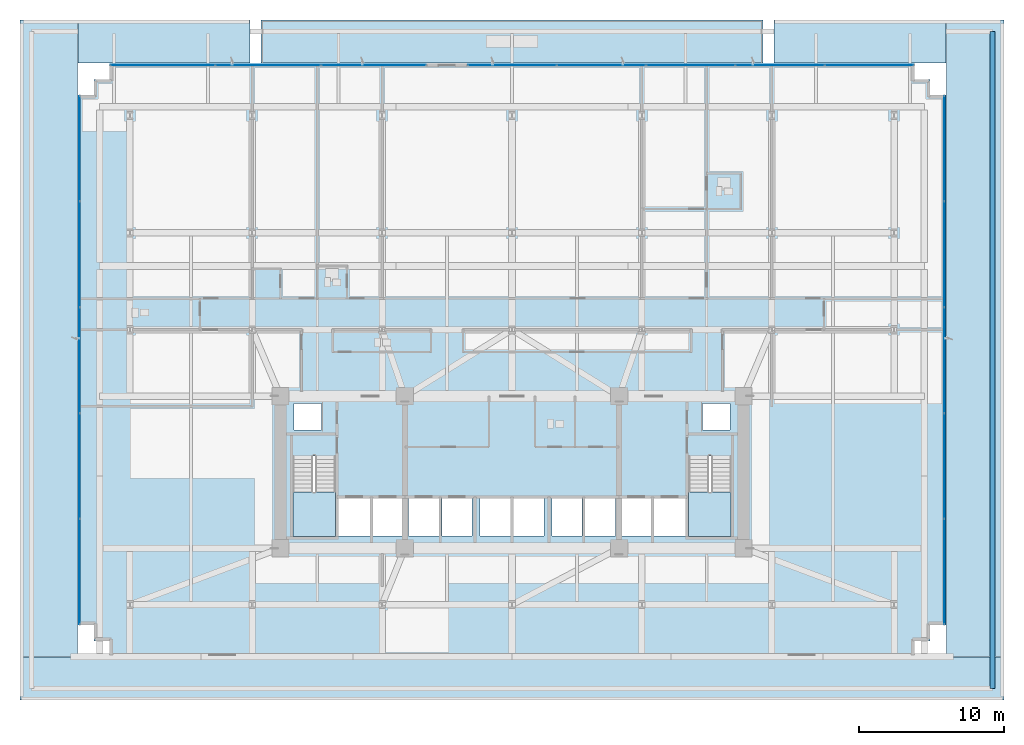
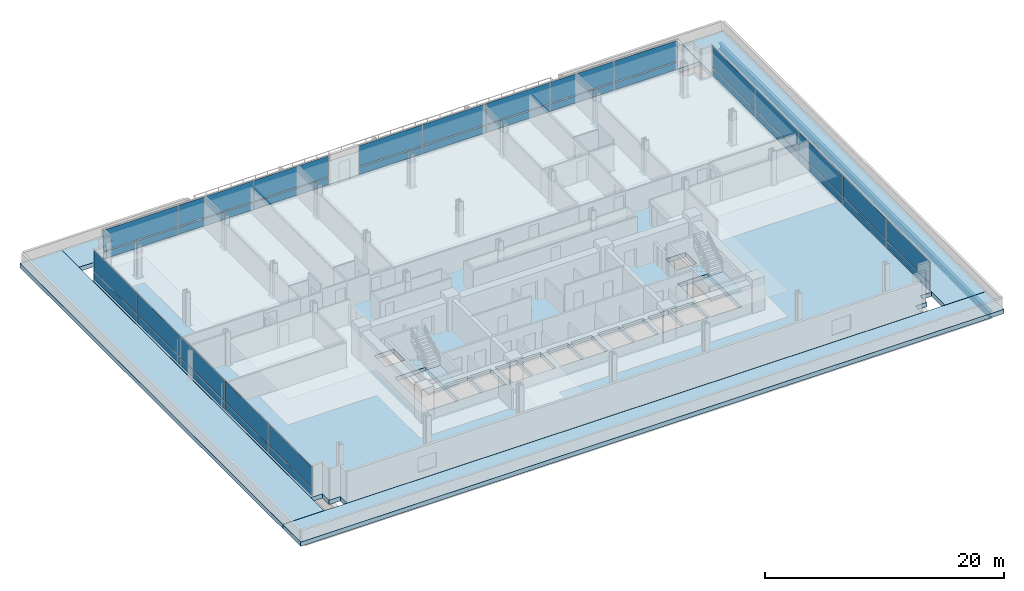
# One storey, part 16 of 25: 36 plates, 9 slabs, 1 beam, 6 elements without a shape of their own.
"""IFC4 building model written with IfcOpenShell, lengths in metres."""

from ifc_helpers import new_model, si_unit, direction, frame, origin, origin_2d, place, context, subcontext, project, spatial, polyline, rectangle, i_section, outline, extrude, material, layer, layer_set, material_profile, profile_set, type_object, element, aggregate, save


model = new_model("IFC4")

# Units and contexts
model_context = context("Model", 3, precision=1e-05, world=origin(), true_north=direction((0.0, 1.0)))
body_context = subcontext(model_context, "Body", "Model", "MODEL_VIEW")
ifc_project = project(units=[si_unit("LENGTHUNIT", "METRE"), si_unit("AREAUNIT", "SQUARE_METRE"), si_unit("VOLUMEUNIT", "CUBIC_METRE"), si_unit("PLANEANGLEUNIT", "RADIAN"), si_unit("MASSUNIT", "GRAM", prefix="KILO")], contexts=[model_context])

# Site, building, storey
site_placement = place(None, origin())
site = spatial("IfcSite", under=ifc_project, at=site_placement, CompositionType="ELEMENT")
building_placement = place(site_placement, origin())
building = spatial("IfcBuilding", under=site, at=building_placement, Name="Solmavex Isthmus Hotel", CompositionType="ELEMENT")
storey_placement = place(building_placement, frame((0.0, 0.0, 26.39990234375)))
storey = spatial("IfcBuildingStorey", under=building, at=storey_placement, Name="L06", CompositionType="ELEMENT", Elevation=26.39990234375)

# Beam
ifc_material_1 = material(Name="Steel ASTM A992 Grade 50", Category="steel")
ifc_material_profile = material_profile(ifc_material_1, i_section(OverallWidth=0.326416015625, OverallDepth=0.621826171875, WebThickness=0.015380859375, FlangeThickness=0.0244140625, FilletRadius=0.01513671875, at=origin_2d()), Name="W24X131")
ifc_profile_set = profile_set([ifc_material_profile], Name="Steel ASTM A992 Grade 50")
beam_type = type_object("IfcBeamType", Name="BM-SP-W24X131", PredefinedType="SPANDREL", material=ifc_profile_set)
beam_placement = place(storey_placement, frame((33.199951171875, -22.699951171875, -0.7607421875), z_axis=(0.0, 1.0, 0.0), x_axis=(-1.0, 0.0, 0.0)))
element("IfcBeam", 1, at=beam_placement, inside=storey, type_object=beam_type, Name="Podium Roof Edge Girder PR-2", PredefinedType="SPANDREL", context=body_context, shape_type="SweptSolid", body=[
    extrude(i_section(OverallWidth=0.326416015625, OverallDepth=0.621826171875, WebThickness=0.015380859375, FlangeThickness=0.0244140625, FilletRadius=0.01513671875, at=origin_2d()), origin(), (0.0, 0.0, 1.0), 45.39990234375),
])

# Curtain wall, plates
ifc_material_2 = material(Name="Aluminium alloy 6063-T6", Category="aluminium")
curtain_wall_type = type_object("IfcCurtainWallType", Name="CW-SYS-06", PredefinedType="NOTDEFINED", material=ifc_material_2)
curtain_wall_1_placement = place(storey_placement, origin())
curtain_wall_1 = element("IfcCurtainWall", 2, at=curtain_wall_1_placement, inside=storey, type_object=curtain_wall_type, Name="Stick Curtain Wall CWL-L06-N1", PredefinedType="NOTDEFINED")
ifc_material_3 = material(Name="Clear low-E laminated glass", Category="glass")
ifc_layer_1 = layer(ifc_material_3, 0.028076171875)
ifc_layer_set_1 = layer_set([ifc_layer_1], Name="Clear low-E laminated glass")
plate_type = type_object("IfcPlateType", Name="CW-SYS-06-PNL", PredefinedType="CURTAIN_PANEL", material=ifc_layer_set_1)
plate_1_placement = place(storey_placement, frame((-24.135009765625, 20.3798828125, 0.114990234375), z_axis=(0.0, 0.0, 1.0), x_axis=(1.0, 0.0, 0.0)))
plate_1 = element("IfcPlate", 3, at=plate_1_placement, type_object=plate_type, Name="CW-06 panel 1.1", PredefinedType="CURTAIN_PANEL", context=body_context, shape_type="SweptSolid", body=[
    extrude(rectangle(XDim=7.2099609375, YDim=0.028076171875, at=origin_2d()), origin(), (0.0, 0.0, 1.0), 0.7275390625),
])
plate_2_placement = place(storey_placement, frame((-24.135009765625, 20.3798828125, 0.95751953125), z_axis=(0.0, 0.0, 1.0), x_axis=(1.0, 0.0, 0.0)))
plate_2 = element("IfcPlate", 4, at=plate_2_placement, type_object=plate_type, Name="CW-06 panel 1.2", PredefinedType="CURTAIN_PANEL", context=body_context, shape_type="SweptSolid", body=[
    extrude(rectangle(XDim=7.2099609375, YDim=0.028076171875, at=origin_2d()), origin(), (0.0, 0.0, 1.0), 2.117431640625),
])
plate_3_placement = place(storey_placement, frame((-16.85009765625, 20.3798828125, 0.114990234375), z_axis=(0.0, 0.0, 1.0), x_axis=(1.0, 0.0, 0.0)))
plate_3 = element("IfcPlate", 5, at=plate_3_placement, type_object=plate_type, Name="CW-06 panel 2.1", PredefinedType="CURTAIN_PANEL", context=body_context, shape_type="SweptSolid", body=[
    extrude(rectangle(XDim=7.239990234375, YDim=0.028076171875, at=origin_2d()), origin(), (0.0, 0.0, 1.0), 0.7275390625),
])
plate_4_placement = place(storey_placement, frame((-16.85009765625, 20.3798828125, 0.95751953125), z_axis=(0.0, 0.0, 1.0), x_axis=(1.0, 0.0, 0.0)))
plate_4 = element("IfcPlate", 6, at=plate_4_placement, type_object=plate_type, Name="CW-06 panel 2.2", PredefinedType="CURTAIN_PANEL", context=body_context, shape_type="SweptSolid", body=[
    extrude(rectangle(XDim=7.239990234375, YDim=0.028076171875, at=origin_2d()), origin(), (0.0, 0.0, 1.0), 2.117431640625),
])
plate_5_placement = place(storey_placement, frame((-9.56494140625, 20.3798828125, 0.114990234375), z_axis=(0.0, 0.0, 1.0), x_axis=(1.0, 0.0, 0.0)))
plate_5 = element("IfcPlate", 7, at=plate_5_placement, type_object=plate_type, Name="CW-06 panel 3.1", PredefinedType="CURTAIN_PANEL", context=body_context, shape_type="SweptSolid", body=[
    extrude(rectangle(XDim=7.2099609375, YDim=0.028076171875, at=origin_2d()), origin(), (0.0, 0.0, 1.0), 0.7275390625),
])
plate_6_placement = place(storey_placement, frame((-9.56494140625, 20.3798828125, 0.95751953125), z_axis=(0.0, 0.0, 1.0), x_axis=(1.0, 0.0, 0.0)))
plate_6 = element("IfcPlate", 8, at=plate_6_placement, type_object=plate_type, Name="CW-06 panel 3.2", PredefinedType="CURTAIN_PANEL", context=body_context, shape_type="SweptSolid", body=[
    extrude(rectangle(XDim=7.2099609375, YDim=0.028076171875, at=origin_2d()), origin(), (0.0, 0.0, 1.0), 2.117431640625),
])
aggregate(curtain_wall_1, [plate_1, plate_2, plate_3, plate_4, plate_5, plate_6])

curtain_wall_2_placement = place(storey_placement, origin())
curtain_wall_2 = element("IfcCurtainWall", 9, at=curtain_wall_2_placement, inside=storey, type_object=curtain_wall_type, Name="Stick Curtain Wall CWL-L06-N2", PredefinedType="NOTDEFINED")
plate_7_placement = place(storey_placement, frame((0.0048828125, 20.3798828125, 0.114990234375), z_axis=(0.0, 0.0, 1.0), x_axis=(1.0, 0.0, 0.0)))
plate_7 = element("IfcPlate", 10, at=plate_7_placement, type_object=plate_type, Name="CW-06 panel 1.1", PredefinedType="CURTAIN_PANEL", context=body_context, shape_type="SweptSolid", body=[
    extrude(rectangle(XDim=6.090087890625, YDim=0.028076171875, at=origin_2d()), origin(), (0.0, 0.0, 1.0), 0.7275390625),
])
plate_8_placement = place(storey_placement, frame((0.0048828125, 20.3798828125, 0.95751953125), z_axis=(0.0, 0.0, 1.0), x_axis=(1.0, 0.0, 0.0)))
plate_8 = element("IfcPlate", 11, at=plate_8_placement, type_object=plate_type, Name="CW-06 panel 1.2", PredefinedType="CURTAIN_PANEL", context=body_context, shape_type="SweptSolid", body=[
    extrude(rectangle(XDim=6.090087890625, YDim=0.028076171875, at=origin_2d()), origin(), (0.0, 0.0, 1.0), 2.117431640625),
])
plate_9_placement = place(storey_placement, frame((6.169921875, 20.3798828125, 0.114990234375), z_axis=(0.0, 0.0, 1.0), x_axis=(1.0, 0.0, 0.0)))
plate_9 = element("IfcPlate", 12, at=plate_9_placement, type_object=plate_type, Name="CW-06 panel 2.1", PredefinedType="CURTAIN_PANEL", context=body_context, shape_type="SweptSolid", body=[
    extrude(rectangle(XDim=6.1201171875, YDim=0.028076171875, at=origin_2d()), origin(), (0.0, 0.0, 1.0), 0.7275390625),
])
plate_10_placement = place(storey_placement, frame((6.169921875, 20.3798828125, 0.95751953125), z_axis=(0.0, 0.0, 1.0), x_axis=(1.0, 0.0, 0.0)))
plate_10 = element("IfcPlate", 13, at=plate_10_placement, type_object=plate_type, Name="CW-06 panel 2.2", PredefinedType="CURTAIN_PANEL", context=body_context, shape_type="SweptSolid", body=[
    extrude(rectangle(XDim=6.1201171875, YDim=0.028076171875, at=origin_2d()), origin(), (0.0, 0.0, 1.0), 2.117431640625),
])
plate_11_placement = place(storey_placement, frame((12.35009765625, 20.3798828125, 0.114990234375), z_axis=(0.0, 0.0, 1.0), x_axis=(1.0, 0.0, 0.0)))
plate_11 = element("IfcPlate", 14, at=plate_11_placement, type_object=plate_type, Name="CW-06 panel 3.1", PredefinedType="CURTAIN_PANEL", context=body_context, shape_type="SweptSolid", body=[
    extrude(rectangle(XDim=6.1201171875, YDim=0.028076171875, at=origin_2d()), origin(), (0.0, 0.0, 1.0), 0.7275390625),
])
plate_12_placement = place(storey_placement, frame((12.35009765625, 20.3798828125, 0.95751953125), z_axis=(0.0, 0.0, 1.0), x_axis=(1.0, 0.0, 0.0)))
plate_12 = element("IfcPlate", 15, at=plate_12_placement, type_object=plate_type, Name="CW-06 panel 3.2", PredefinedType="CURTAIN_PANEL", context=body_context, shape_type="SweptSolid", body=[
    extrude(rectangle(XDim=6.1201171875, YDim=0.028076171875, at=origin_2d()), origin(), (0.0, 0.0, 1.0), 2.117431640625),
])
plate_13_placement = place(storey_placement, frame((18.530029296875, 20.3798828125, 0.114990234375), z_axis=(0.0, 0.0, 1.0), x_axis=(1.0, 0.0, 0.0)))
plate_13 = element("IfcPlate", 16, at=plate_13_placement, type_object=plate_type, Name="CW-06 panel 4.1", PredefinedType="CURTAIN_PANEL", context=body_context, shape_type="SweptSolid", body=[
    extrude(rectangle(XDim=6.1201171875, YDim=0.028076171875, at=origin_2d()), origin(), (0.0, 0.0, 1.0), 0.7275390625),
])
plate_14_placement = place(storey_placement, frame((18.530029296875, 20.3798828125, 0.95751953125), z_axis=(0.0, 0.0, 1.0), x_axis=(1.0, 0.0, 0.0)))
plate_14 = element("IfcPlate", 17, at=plate_14_placement, type_object=plate_type, Name="CW-06 panel 4.2", PredefinedType="CURTAIN_PANEL", context=body_context, shape_type="SweptSolid", body=[
    extrude(rectangle(XDim=6.1201171875, YDim=0.028076171875, at=origin_2d()), origin(), (0.0, 0.0, 1.0), 2.117431640625),
])
plate_15_placement = place(storey_placement, frame((24.695068359375, 20.3798828125, 0.114990234375), z_axis=(0.0, 0.0, 1.0), x_axis=(1.0, 0.0, 0.0)))
plate_15 = element("IfcPlate", 18, at=plate_15_placement, type_object=plate_type, Name="CW-06 panel 5.1", PredefinedType="CURTAIN_PANEL", context=body_context, shape_type="SweptSolid", body=[
    extrude(rectangle(XDim=6.090087890625, YDim=0.028076171875, at=origin_2d()), origin(), (0.0, 0.0, 1.0), 0.7275390625),
])
plate_16_placement = place(storey_placement, frame((24.695068359375, 20.3798828125, 0.95751953125), z_axis=(0.0, 0.0, 1.0), x_axis=(1.0, 0.0, 0.0)))
plate_16 = element("IfcPlate", 19, at=plate_16_placement, type_object=plate_type, Name="CW-06 panel 5.2", PredefinedType="CURTAIN_PANEL", context=body_context, shape_type="SweptSolid", body=[
    extrude(rectangle(XDim=6.090087890625, YDim=0.028076171875, at=origin_2d()), origin(), (0.0, 0.0, 1.0), 2.117431640625),
])
aggregate(curtain_wall_2, [plate_7, plate_8, plate_9, plate_10, plate_11, plate_12, plate_13, plate_14, plate_15, plate_16])

curtain_wall_3_placement = place(storey_placement, origin())
curtain_wall_3 = element("IfcCurtainWall", 20, at=curtain_wall_3_placement, inside=storey, type_object=curtain_wall_type, Name="Stick Curtain Wall CWL-L06-W1", PredefinedType="NOTDEFINED")
plate_17_placement = place(storey_placement, frame((-29.8798828125, -14.625, 0.114990234375), z_axis=(0.0, 0.0, 1.0), x_axis=(0.0, 1.0, 0.0)))
plate_17 = element("IfcPlate", 21, at=plate_17_placement, type_object=plate_type, Name="CW-06 panel 1.1", PredefinedType="CURTAIN_PANEL", context=body_context, shape_type="SweptSolid", body=[
    extrude(rectangle(XDim=7.22998046875, YDim=0.028076171875, at=origin_2d()), origin(), (0.0, 0.0, 1.0), 0.7275390625),
])
plate_18_placement = place(storey_placement, frame((-29.8798828125, -14.625, 0.95751953125), z_axis=(0.0, 0.0, 1.0), x_axis=(0.0, 1.0, 0.0)))
plate_18 = element("IfcPlate", 22, at=plate_18_placement, type_object=plate_type, Name="CW-06 panel 1.2", PredefinedType="CURTAIN_PANEL", context=body_context, shape_type="SweptSolid", body=[
    extrude(rectangle(XDim=7.22998046875, YDim=0.028076171875, at=origin_2d()), origin(), (0.0, 0.0, 1.0), 2.117431640625),
])
plate_19_placement = place(storey_placement, frame((-29.8798828125, -7.320068359375, 0.114990234375), z_axis=(0.0, 0.0, 1.0), x_axis=(0.0, 1.0, 0.0)))
plate_19 = element("IfcPlate", 23, at=plate_19_placement, type_object=plate_type, Name="CW-06 panel 2.1", PredefinedType="CURTAIN_PANEL", context=body_context, shape_type="SweptSolid", body=[
    extrude(rectangle(XDim=7.260009765625, YDim=0.028076171875, at=origin_2d()), origin(), (0.0, 0.0, 1.0), 0.7275390625),
])
plate_20_placement = place(storey_placement, frame((-29.8798828125, -7.320068359375, 0.95751953125), z_axis=(0.0, 0.0, 1.0), x_axis=(0.0, 1.0, 0.0)))
plate_20 = element("IfcPlate", 24, at=plate_20_placement, type_object=plate_type, Name="CW-06 panel 2.2", PredefinedType="CURTAIN_PANEL", context=body_context, shape_type="SweptSolid", body=[
    extrude(rectangle(XDim=7.260009765625, YDim=0.028076171875, at=origin_2d()), origin(), (0.0, 0.0, 1.0), 2.117431640625),
])
plate_21_placement = place(storey_placement, frame((-29.8798828125, 0.0, 0.114990234375), z_axis=(0.0, 0.0, 1.0), x_axis=(0.0, 1.0, 0.0)))
plate_21 = element("IfcPlate", 25, at=plate_21_placement, type_object=plate_type, Name="CW-06 panel 3.1", PredefinedType="CURTAIN_PANEL", context=body_context, shape_type="SweptSolid", body=[
    extrude(rectangle(XDim=7.260009765625, YDim=0.028076171875, at=origin_2d()), origin(), (0.0, 0.0, 1.0), 0.7275390625),
])
plate_22_placement = place(storey_placement, frame((-29.8798828125, 0.0, 0.95751953125), z_axis=(0.0, 0.0, 1.0), x_axis=(0.0, 1.0, 0.0)))
plate_22 = element("IfcPlate", 26, at=plate_22_placement, type_object=plate_type, Name="CW-06 panel 3.2", PredefinedType="CURTAIN_PANEL", context=body_context, shape_type="SweptSolid", body=[
    extrude(rectangle(XDim=7.260009765625, YDim=0.028076171875, at=origin_2d()), origin(), (0.0, 0.0, 1.0), 2.117431640625),
])
plate_23_placement = place(storey_placement, frame((-29.8798828125, 7.320068359375, 0.114990234375), z_axis=(0.0, 0.0, 1.0), x_axis=(0.0, 1.0, 0.0)))
plate_23 = element("IfcPlate", 27, at=plate_23_placement, type_object=plate_type, Name="CW-06 panel 4.1", PredefinedType="CURTAIN_PANEL", context=body_context, shape_type="SweptSolid", body=[
    extrude(rectangle(XDim=7.260009765625, YDim=0.028076171875, at=origin_2d()), origin(), (0.0, 0.0, 1.0), 0.7275390625),
])
plate_24_placement = place(storey_placement, frame((-29.8798828125, 7.320068359375, 0.95751953125), z_axis=(0.0, 0.0, 1.0), x_axis=(0.0, 1.0, 0.0)))
plate_24 = element("IfcPlate", 28, at=plate_24_placement, type_object=plate_type, Name="CW-06 panel 4.2", PredefinedType="CURTAIN_PANEL", context=body_context, shape_type="SweptSolid", body=[
    extrude(rectangle(XDim=7.260009765625, YDim=0.028076171875, at=origin_2d()), origin(), (0.0, 0.0, 1.0), 2.117431640625),
])
plate_25_placement = place(storey_placement, frame((-29.8798828125, 14.625, 0.114990234375), z_axis=(0.0, 0.0, 1.0), x_axis=(0.0, 1.0, 0.0)))
plate_25 = element("IfcPlate", 29, at=plate_25_placement, type_object=plate_type, Name="CW-06 panel 5.1", PredefinedType="CURTAIN_PANEL", context=body_context, shape_type="SweptSolid", body=[
    extrude(rectangle(XDim=7.22998046875, YDim=0.028076171875, at=origin_2d()), origin(), (0.0, 0.0, 1.0), 0.7275390625),
])
plate_26_placement = place(storey_placement, frame((-29.8798828125, 14.625, 0.95751953125), z_axis=(0.0, 0.0, 1.0), x_axis=(0.0, 1.0, 0.0)))
plate_26 = element("IfcPlate", 30, at=plate_26_placement, type_object=plate_type, Name="CW-06 panel 5.2", PredefinedType="CURTAIN_PANEL", context=body_context, shape_type="SweptSolid", body=[
    extrude(rectangle(XDim=7.22998046875, YDim=0.028076171875, at=origin_2d()), origin(), (0.0, 0.0, 1.0), 2.117431640625),
])
aggregate(curtain_wall_3, [plate_17, plate_18, plate_19, plate_20, plate_21, plate_22, plate_23, plate_24, plate_25, plate_26])

curtain_wall_4_placement = place(storey_placement, origin())
curtain_wall_4 = element("IfcCurtainWall", 31, at=curtain_wall_4_placement, inside=storey, type_object=curtain_wall_type, Name="Stick Curtain Wall CWL-L06-E1", PredefinedType="NOTDEFINED")
plate_27_placement = place(storey_placement, frame((29.8798828125, -14.625, 0.114990234375), z_axis=(0.0, 0.0, 1.0), x_axis=(0.0, 1.0, 0.0)))
plate_27 = element("IfcPlate", 32, at=plate_27_placement, type_object=plate_type, Name="CW-06 panel 1.1", PredefinedType="CURTAIN_PANEL", context=body_context, shape_type="SweptSolid", body=[
    extrude(rectangle(XDim=7.22998046875, YDim=0.028076171875, at=origin_2d()), origin(), (0.0, 0.0, 1.0), 0.7275390625),
])
plate_28_placement = place(storey_placement, frame((29.8798828125, -14.625, 0.95751953125), z_axis=(0.0, 0.0, 1.0), x_axis=(0.0, 1.0, 0.0)))
plate_28 = element("IfcPlate", 33, at=plate_28_placement, type_object=plate_type, Name="CW-06 panel 1.2", PredefinedType="CURTAIN_PANEL", context=body_context, shape_type="SweptSolid", body=[
    extrude(rectangle(XDim=7.22998046875, YDim=0.028076171875, at=origin_2d()), origin(), (0.0, 0.0, 1.0), 2.117431640625),
])
plate_29_placement = place(storey_placement, frame((29.8798828125, -7.320068359375, 0.114990234375), z_axis=(0.0, 0.0, 1.0), x_axis=(0.0, 1.0, 0.0)))
plate_29 = element("IfcPlate", 34, at=plate_29_placement, type_object=plate_type, Name="CW-06 panel 2.1", PredefinedType="CURTAIN_PANEL", context=body_context, shape_type="SweptSolid", body=[
    extrude(rectangle(XDim=7.260009765625, YDim=0.028076171875, at=origin_2d()), origin(), (0.0, 0.0, 1.0), 0.7275390625),
])
plate_30_placement = place(storey_placement, frame((29.8798828125, -7.320068359375, 0.95751953125), z_axis=(0.0, 0.0, 1.0), x_axis=(0.0, 1.0, 0.0)))
plate_30 = element("IfcPlate", 35, at=plate_30_placement, type_object=plate_type, Name="CW-06 panel 2.2", PredefinedType="CURTAIN_PANEL", context=body_context, shape_type="SweptSolid", body=[
    extrude(rectangle(XDim=7.260009765625, YDim=0.028076171875, at=origin_2d()), origin(), (0.0, 0.0, 1.0), 2.117431640625),
])
plate_31_placement = place(storey_placement, frame((29.8798828125, 0.0, 0.114990234375), z_axis=(0.0, 0.0, 1.0), x_axis=(0.0, 1.0, 0.0)))
plate_31 = element("IfcPlate", 36, at=plate_31_placement, type_object=plate_type, Name="CW-06 panel 3.1", PredefinedType="CURTAIN_PANEL", context=body_context, shape_type="SweptSolid", body=[
    extrude(rectangle(XDim=7.260009765625, YDim=0.028076171875, at=origin_2d()), origin(), (0.0, 0.0, 1.0), 0.7275390625),
])
plate_32_placement = place(storey_placement, frame((29.8798828125, 0.0, 0.95751953125), z_axis=(0.0, 0.0, 1.0), x_axis=(0.0, 1.0, 0.0)))
plate_32 = element("IfcPlate", 37, at=plate_32_placement, type_object=plate_type, Name="CW-06 panel 3.2", PredefinedType="CURTAIN_PANEL", context=body_context, shape_type="SweptSolid", body=[
    extrude(rectangle(XDim=7.260009765625, YDim=0.028076171875, at=origin_2d()), origin(), (0.0, 0.0, 1.0), 2.117431640625),
])
plate_33_placement = place(storey_placement, frame((29.8798828125, 7.320068359375, 0.114990234375), z_axis=(0.0, 0.0, 1.0), x_axis=(0.0, 1.0, 0.0)))
plate_33 = element("IfcPlate", 38, at=plate_33_placement, type_object=plate_type, Name="CW-06 panel 4.1", PredefinedType="CURTAIN_PANEL", context=body_context, shape_type="SweptSolid", body=[
    extrude(rectangle(XDim=7.260009765625, YDim=0.028076171875, at=origin_2d()), origin(), (0.0, 0.0, 1.0), 0.7275390625),
])
plate_34_placement = place(storey_placement, frame((29.8798828125, 7.320068359375, 0.95751953125), z_axis=(0.0, 0.0, 1.0), x_axis=(0.0, 1.0, 0.0)))
plate_34 = element("IfcPlate", 39, at=plate_34_placement, type_object=plate_type, Name="CW-06 panel 4.2", PredefinedType="CURTAIN_PANEL", context=body_context, shape_type="SweptSolid", body=[
    extrude(rectangle(XDim=7.260009765625, YDim=0.028076171875, at=origin_2d()), origin(), (0.0, 0.0, 1.0), 2.117431640625),
])
plate_35_placement = place(storey_placement, frame((29.8798828125, 14.625, 0.114990234375), z_axis=(0.0, 0.0, 1.0), x_axis=(0.0, 1.0, 0.0)))
plate_35 = element("IfcPlate", 40, at=plate_35_placement, type_object=plate_type, Name="CW-06 panel 5.1", PredefinedType="CURTAIN_PANEL", context=body_context, shape_type="SweptSolid", body=[
    extrude(rectangle(XDim=7.22998046875, YDim=0.028076171875, at=origin_2d()), origin(), (0.0, 0.0, 1.0), 0.7275390625),
])
plate_36_placement = place(storey_placement, frame((29.8798828125, 14.625, 0.95751953125), z_axis=(0.0, 0.0, 1.0), x_axis=(0.0, 1.0, 0.0)))
plate_36 = element("IfcPlate", 41, at=plate_36_placement, type_object=plate_type, Name="CW-06 panel 5.2", PredefinedType="CURTAIN_PANEL", context=body_context, shape_type="SweptSolid", body=[
    extrude(rectangle(XDim=7.22998046875, YDim=0.028076171875, at=origin_2d()), origin(), (0.0, 0.0, 1.0), 2.117431640625),
])
aggregate(curtain_wall_4, [plate_27, plate_28, plate_29, plate_30, plate_31, plate_32, plate_33, plate_34, plate_35, plate_36])

# Slabs
ifc_material_4 = material(Name="Concrete C50/60", Category="concrete")
ifc_layer_2 = layer(ifc_material_4, 0.449951171875)
ifc_layer_set_2 = layer_set([ifc_layer_2], Name="Concrete C50/60")
slab_type_1 = type_object("IfcSlabType", Name="SLAB-PRF-450", PredefinedType="ROOF", material=ifc_layer_set_2)
slab_1_placement = place(storey_placement, frame((0.0, 0.0, -0.449951171875)))
element("IfcSlab", 42, at=slab_1_placement, inside=storey, type_object=slab_type_1, Name="Podium Structural Roof Slab L06-S", PredefinedType="ROOF", context=body_context, shape_type="SweptSolid", body=[
    extrude(outline(polyline([(-34.0, -23.5), (34.0, -23.5), (34.0, -20.52001953125), (-34.0, -20.52001953125), (-34.0, -23.5)])), origin(), (0.0, 0.0, 1.0), 0.449951171875),
])
slab_2_placement = place(storey_placement, frame((0.0, 0.0, -0.449951171875)))
element("IfcSlab", 43, at=slab_2_placement, inside=storey, type_object=slab_type_1, Name="Podium Structural Roof Slab L06-W", PredefinedType="ROOF", context=body_context, shape_type="SweptSolid", body=[
    extrude(outline(polyline([(-34.0, -20.5), (-30.02001953125, -20.5), (-30.02001953125, 23.5), (-34.0, 23.5), (-34.0, -20.5)])), origin(), (0.0, 0.0, 1.0), 0.449951171875),
])
slab_3_placement = place(storey_placement, frame((0.0, 0.0, -0.449951171875)))
element("IfcSlab", 44, at=slab_3_placement, inside=storey, type_object=slab_type_1, Name="Podium Structural Roof Slab L06-E", PredefinedType="ROOF", context=body_context, shape_type="SweptSolid", body=[
    extrude(outline(polyline([(30.02001953125, -20.5), (34.0, -20.5), (34.0, 23.5), (30.02001953125, 23.5), (30.02001953125, -20.5)])), origin(), (0.0, 0.0, 1.0), 0.449951171875),
])
slab_4_placement = place(storey_placement, frame((0.0, 0.0, -0.449951171875)))
element("IfcSlab", 45, at=slab_4_placement, inside=storey, type_object=slab_type_1, Name="Podium Structural Roof Slab L06-NW", PredefinedType="ROOF", context=body_context, shape_type="SweptSolid", body=[
    extrude(outline(polyline([(-30.0, 20.52001953125), (-18.10009765625, 20.52001953125), (-18.10009765625, 23.5), (-30.0, 23.5), (-30.0, 20.52001953125)])), origin(), (0.0, 0.0, 1.0), 0.449951171875),
])
slab_5_placement = place(storey_placement, frame((0.0, 0.0, -0.449951171875)))
element("IfcSlab", 46, at=slab_5_placement, inside=storey, type_object=slab_type_1, Name="Podium Structural Roof Slab L06-NE", PredefinedType="ROOF", context=body_context, shape_type="SweptSolid", body=[
    extrude(outline(polyline([(18.10009765625, 20.52001953125), (30.0, 20.52001953125), (30.0, 23.5), (18.10009765625, 23.5), (18.10009765625, 20.52001953125)])), origin(), (0.0, 0.0, 1.0), 0.449951171875),
])
ifc_layer_3 = layer(ifc_material_4, 0.449951171875)
ifc_layer_set_3 = layer_set([ifc_layer_3], Name="Concrete C50/60")
slab_type_2 = type_object("IfcSlabType", Name="SLAB-TERR-450", PredefinedType="FLOOR", material=ifc_layer_set_3)
slab_6_placement = place(storey_placement, frame((0.0, 0.0, -0.449951171875)))
element("IfcSlab", 47, at=slab_6_placement, inside=storey, type_object=slab_type_2, Name="Botanical Podium Roof Terrace L06", PredefinedType="FLOOR", context=body_context, shape_type="SweptSolid", body=[
    extrude(outline(polyline([(-17.35009765625, 20.52001953125), (17.35009765625, 20.52001953125), (17.35009765625, 23.5), (-17.35009765625, 23.5), (-17.35009765625, 20.52001953125)])), origin(), (0.0, 0.0, 1.0), 0.449951171875),
])
ifc_layer_4 = layer(ifc_material_4, 0.449951171875)
ifc_layer_set_4 = layer_set([ifc_layer_4], Name="Concrete C50/60")
slab_type_3 = type_object("IfcSlabType", Name="SLAB-XFER-360", PredefinedType="FLOOR", material=ifc_layer_set_4)
slab_7_placement = place(storey_placement, frame((0.0, 0.0, -0.449951171875)))
element("IfcSlab", 48, at=slab_7_placement, inside=storey, type_object=slab_type_3, Name="Tower Structural Floor Slab L06", PredefinedType="FLOOR", context=body_context, shape_type="SweptSolid", body=[
    extrude(outline(polyline([(-26.699951171875, -20.5), (26.699951171875, -20.5), (27.800048828125, -20.5), (27.800048828125, -19.39990234375), (28.89990234375, -19.39990234375), (28.89990234375, -18.300048828125), (30.0, -18.300048828125), (30.0, -17.199951171875), (30.0, 17.199951171875), (30.0, 18.300048828125), (28.89990234375, 18.300048828125), (28.89990234375, 19.39990234375), (27.800048828125, 19.39990234375), (27.800048828125, 20.5), (26.699951171875, 20.5), (-26.699951171875, 20.5), (-27.800048828125, 20.5), (-27.800048828125, 19.39990234375), (-28.89990234375, 19.39990234375), (-28.89990234375, 18.300048828125), (-30.0, 18.300048828125), (-30.0, 17.199951171875), (-30.0, -17.199951171875), (-30.0, -18.300048828125), (-28.89990234375, -18.300048828125), (-28.89990234375, -19.39990234375), (-27.800048828125, -19.39990234375), (-27.800048828125, -20.5), (-26.699951171875, -20.5)]), holes=[polyline([(-15.14990234375, -6.617919921875), (-15.14990234375, -12.199951171875), (-12.199951171875, -12.199951171875), (-12.199951171875, -6.617919921875), (-15.14990234375, -6.617919921875)]), polyline([(12.199951171875, -6.617919921875), (12.199951171875, -12.199951171875), (15.14990234375, -12.199951171875), (15.14990234375, -6.617919921875), (12.199951171875, -6.617919921875)]), polyline([(-12.0, -12.14990234375), (-9.800048828125, -12.14990234375), (-9.800048828125, -9.550048828125), (-12.0, -9.550048828125), (-12.0, -12.14990234375)]), polyline([(9.800048828125, -12.14990234375), (12.0, -12.14990234375), (12.0, -9.550048828125), (9.800048828125, -9.550048828125), (9.800048828125, -12.14990234375)]), polyline([(-9.60009765625, -12.14990234375), (-7.60009765625, -12.14990234375), (-7.60009765625, -9.550048828125), (-9.60009765625, -9.550048828125), (-9.60009765625, -12.14990234375)]), polyline([(7.60009765625, -12.14990234375), (9.60009765625, -12.14990234375), (9.60009765625, -9.550048828125), (7.60009765625, -9.550048828125), (7.60009765625, -12.14990234375)]), polyline([(-7.14990234375, -12.14990234375), (-5.050048828125, -12.14990234375), (-5.050048828125, -9.550048828125), (-7.14990234375, -9.550048828125), (-7.14990234375, -12.14990234375)]), polyline([(-4.85009765625, -12.14990234375), (-2.75, -12.14990234375), (-2.75, -9.550048828125), (-4.85009765625, -9.550048828125), (-4.85009765625, -12.14990234375)]), polyline([(-2.199951171875, -12.14990234375), (-0.10009765625, -12.14990234375), (-0.10009765625, -9.550048828125), (-2.199951171875, -9.550048828125), (-2.199951171875, -12.14990234375)]), polyline([(0.10009765625, -12.14990234375), (2.199951171875, -12.14990234375), (2.199951171875, -9.550048828125), (0.10009765625, -9.550048828125), (0.10009765625, -12.14990234375)]), polyline([(2.75, -12.14990234375), (4.85009765625, -12.14990234375), (4.85009765625, -9.550048828125), (2.75, -9.550048828125), (2.75, -12.14990234375)]), polyline([(5.050048828125, -12.14990234375), (7.14990234375, -12.14990234375), (7.14990234375, -9.550048828125), (5.050048828125, -9.550048828125), (5.050048828125, -12.14990234375)]), polyline([(-15.050048828125, -4.85009765625), (-13.14990234375, -4.85009765625), (-13.14990234375, -3.0), (-15.050048828125, -3.0), (-15.050048828125, -4.85009765625)]), polyline([(13.14990234375, -4.85009765625), (15.050048828125, -4.85009765625), (15.050048828125, -3.0), (13.14990234375, -3.0), (13.14990234375, -4.85009765625)])]), origin(), (0.0, 0.0, 1.0), 0.449951171875),
])

# Stair, slab
ifc_material_5 = material(Name="Concrete C40/50", Category="concrete")
stair_type_1 = type_object("IfcStairType", Name="STR-ST-1", PredefinedType="HALF_TURN_STAIR", material=ifc_material_5)
stair_1_placement = place(storey_placement, origin())
stair_1 = element("IfcStair", 49, at=stair_1_placement, inside=storey, type_object=stair_type_1, Name="L06 Protected Exit Stair ST-1", PredefinedType="HALF_TURN_STAIR")
ifc_layer_5 = layer(ifc_material_5, 0.219970703125)
ifc_layer_set_5 = layer_set([ifc_layer_5], Name="Concrete C40/50")
slab_type_4 = type_object("IfcSlabType", Name="SLD-ST-1", PredefinedType="LANDING", material=ifc_layer_set_5)
slab_8_placement = place(storey_placement, frame((0.0, 0.0, 1.525146484375)))
slab_8 = element("IfcSlab", 50, at=slab_8_placement, type_object=slab_type_4, Name="ST-1 landing 1", PredefinedType="LANDING", context=body_context, shape_type="SweptSolid", body=[
    extrude(outline(polyline([(-15.14990234375, -9.1201171875), (-15.14990234375, -12.199951171875), (-12.199951171875, -12.199951171875), (-12.199951171875, -9.1201171875), (-15.14990234375, -9.1201171875)])), origin(), (0.0, 0.0, 1.0), 0.199951171875),
])
aggregate(stair_1, [slab_8])

stair_type_2 = type_object("IfcStairType", Name="STR-ST-2", PredefinedType="HALF_TURN_STAIR", material=ifc_material_5)
stair_2_placement = place(storey_placement, origin())
stair_2 = element("IfcStair", 51, at=stair_2_placement, inside=storey, type_object=stair_type_2, Name="L06 Protected Exit Stair ST-2", PredefinedType="HALF_TURN_STAIR")
ifc_layer_6 = layer(ifc_material_5, 0.219970703125)
ifc_layer_set_6 = layer_set([ifc_layer_6], Name="Concrete C40/50")
slab_type_5 = type_object("IfcSlabType", Name="SLD-ST-2", PredefinedType="LANDING", material=ifc_layer_set_6)
slab_9_placement = place(storey_placement, frame((0.0, 0.0, 1.525146484375)))
slab_9 = element("IfcSlab", 52, at=slab_9_placement, type_object=slab_type_5, Name="ST-2 landing 1", PredefinedType="LANDING", context=body_context, shape_type="SweptSolid", body=[
    extrude(outline(polyline([(12.199951171875, -9.1201171875), (12.199951171875, -12.199951171875), (15.14990234375, -12.199951171875), (15.14990234375, -9.1201171875), (12.199951171875, -9.1201171875)])), origin(), (0.0, 0.0, 1.0), 0.199951171875),
])
aggregate(stair_2, [slab_9])

save(model, "model.ifc")
